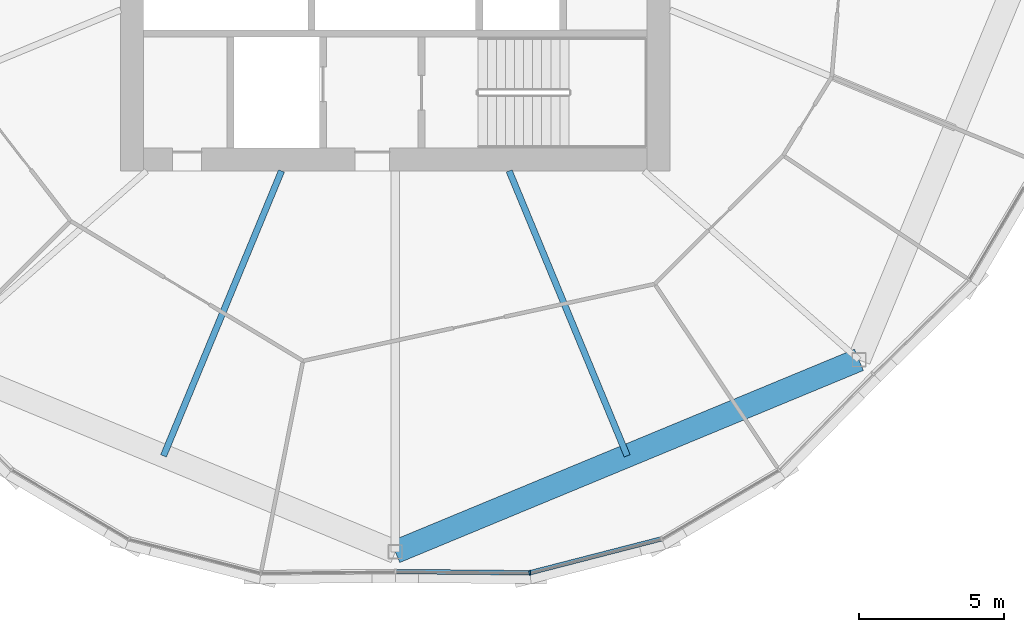
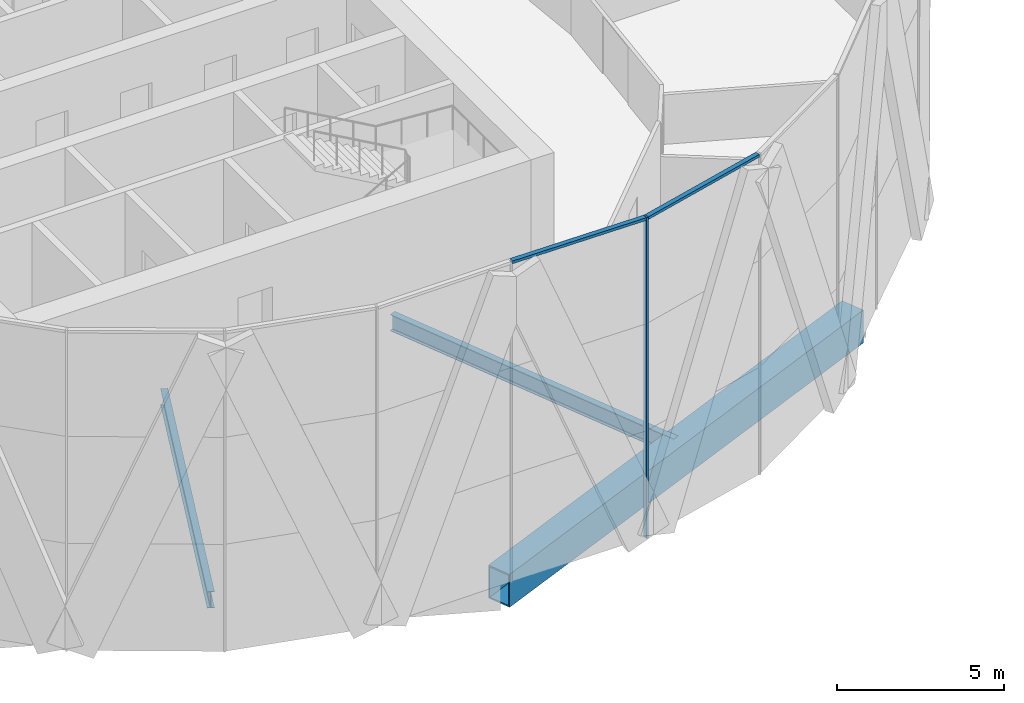
# One storey, part 4 of 26: 3 beams, 3 members, 1 element without a shape of its own.
"""IFC4 building model written with IfcOpenShell, lengths in metres."""

from ifc_helpers import new_model, si_unit, direction, frame, origin, origin_2d, place, context, subcontext, project, spatial, rectangle, hollow_rectangle, i_section, extrude, material, material_profile, profile_set, type_object, element, aggregate, save


model = new_model("IFC4")

# Units and contexts
model_context = context("Model", 3, precision=1e-05, world=origin(), true_north=direction((0.0, 1.0)))
body_context = subcontext(model_context, "Body", "Model", "MODEL_VIEW")
ifc_project = project(units=[si_unit("LENGTHUNIT", "METRE"), si_unit("AREAUNIT", "SQUARE_METRE"), si_unit("VOLUMEUNIT", "CUBIC_METRE"), si_unit("PLANEANGLEUNIT", "RADIAN"), si_unit("MASSUNIT", "GRAM", prefix="KILO")], contexts=[model_context])

# Site, building, storey
site_placement = place(None, origin())
site = spatial("IfcSite", under=ifc_project, at=site_placement, CompositionType="ELEMENT")
building_placement = place(site_placement, origin())
building = spatial("IfcBuilding", under=site, at=building_placement, Name="Ogive Gate Towers", CompositionType="ELEMENT")
storey_placement = place(building_placement, frame((0.0, 0.0, 87.89990234375)))
storey = spatial("IfcBuildingStorey", under=building, at=storey_placement, Name="L20", CompositionType="ELEMENT", Elevation=87.89990234375)

# Beams
ifc_material_1 = material(Name="Steel SM460", Category="steel")
ifc_material_profile_1 = material_profile(ifc_material_1, hollow_rectangle(XDim=0.800048828125, YDim=1.199951171875, WallThickness=0.050048828125, at=origin_2d()), Name="BX 1200x800x50")
ifc_profile_set_1 = profile_set([ifc_material_profile_1], Name="Steel SM460")
beam_type_1 = type_object("IfcBeamType", Name="Edge girder BX 1200x800x50", PredefinedType="BEAM", material=ifc_profile_set_1)
beam_placement = place(storey_placement, frame((-36.0, -22.669921875, -0.89990234375), z_axis=(0.923878777792, 0.382685254414, 0.0), x_axis=(-0.382685254414, 0.923878777792, 0.0)))
element("IfcBeam", 1, at=beam_placement, inside=storey, type_object=beam_type_1, Name="T1/L20/SBM018", PredefinedType="BEAM", context=body_context, shape_type="SweptSolid", body=[
    extrude(hollow_rectangle(XDim=0.800048828125, YDim=1.199951171875, WallThickness=0.050048828125, at=origin_2d()), origin(), (0.0, 0.0, 1.0), 17.350830078125),
])
ifc_material_2 = material(Name="Steel SM355", Category="steel")
ifc_material_profile_2 = material_profile(ifc_material_2, i_section(OverallWidth=0.219970703125, OverallDepth=0.60009765625, WebThickness=0.011962890625, FlangeThickness=0.01904296875, FilletRadius=0.02392578125, at=origin_2d()), Name="IPE 600")
ifc_profile_set_2 = profile_set([ifc_material_profile_2], Name="Steel SM355")
beam_type_2 = type_object("IfcBeamType", Name="Radial floor beam IPE 600", PredefinedType="BEAM", material=ifc_profile_set_2)
for number, where, z_axis, x_axis, name in (
    (2, (-39.93505859375, -9.5, -0.599853515625), (-0.382686161148, -0.923878402208, 0.0), (0.923878402208, -0.382686161148, 0.0), "T1/L20/SBM002"),
    (3, (-32.06494140625, -9.5, -0.599853515625), (0.382686161148, -0.923878402208, 0.0), (0.923878402208, 0.382686161148, 0.0), "T1/L20/SBM004"),
):
    element("IfcBeam", number, at=place(storey_placement, frame(where, z_axis=z_axis, x_axis=x_axis)), inside=storey, type_object=beam_type_2, Name=name, PredefinedType="BEAM", context=body_context, shape_type="SweptSolid", body=[
        extrude(i_section(OverallWidth=0.219970703125, OverallDepth=0.60009765625, WebThickness=0.011962890625, FlangeThickness=0.01904296875, FilletRadius=0.02392578125, at=origin_2d()), origin(), (0.0, 0.0, 1.0), 10.66162109375),
    ])

# Curtain wall, members
ifc_material_3 = material(Name="Pale metal aluminium", Category="aluminium")
curtain_wall_type = type_object("IfcCurtainWallType", Name="Tower unitised wall, low zone", PredefinedType="NOTDEFINED", material=ifc_material_3)
curtain_wall_placement = place(storey_placement, origin())
curtain_wall = element("IfcCurtainWall", 4, at=curtain_wall_placement, inside=storey, type_object=curtain_wall_type, Name="CW1 T1 ECW07", PredefinedType="NOTDEFINED")
ifc_material_profile_3 = material_profile(ifc_material_3, rectangle(XDim=0.159912109375, YDim=0.06005859375, at=origin_2d()), Name="60 x 160 aluminium box")
ifc_profile_set_3 = profile_set([ifc_material_profile_3], Name="Pale metal aluminium")
member_type_1 = type_object("IfcMemberType", Name="Tower unitised wall, low zone mullion 60 x 160", PredefinedType="MULLION", material=ifc_profile_set_3)
member_1_placement = place(storey_placement, frame((-31.352783203125, -23.3935546875, -0.2998046875), z_axis=(0.0, 0.0, 1.0), x_axis=(0.121037787217, -0.992647900348, 0.0)))
member_1 = element("IfcMember", 5, at=member_1_placement, type_object=member_type_1, Name="CW1 mullion", PredefinedType="MULLION", context=body_context, shape_type="SweptSolid", body=[
    extrude(rectangle(XDim=0.159912109375, YDim=0.06005859375, at=origin_2d()), origin(), (0.0, 0.0, 1.0), 11.699951171875),
])
ifc_material_profile_4 = material_profile(ifc_material_3, rectangle(XDim=0.159912109375, YDim=0.10009765625, at=origin_2d()), Name="100 x 160 aluminium box")
ifc_profile_set_4 = profile_set([ifc_material_profile_4], Name="Pale metal aluminium")
member_type_2 = type_object("IfcMemberType", Name="Tower unitised wall, low zone transom 100 x 160", PredefinedType="USERDEFINED", material=ifc_profile_set_4)
member_2_placement = place(storey_placement, frame((-35.9697265625, -23.350341796875, 11.35009765625), z_axis=(0.999956669412, -0.009309097625, 0.0), x_axis=(0.009309097625, 0.999956669412, 0.0)))
member_2 = element("IfcMember", 6, at=member_2_placement, type_object=member_type_2, Name="CW1 transom", ObjectType="TRANSOM", PredefinedType="USERDEFINED", context=body_context, shape_type="SweptSolid", body=[
    extrude(rectangle(XDim=0.159912109375, YDim=0.10009765625, at=origin_2d()), origin(), (0.0, 0.0, 1.0), 4.589599609375),
])
member_3_placement = place(storey_placement, frame((-31.326416015625, -23.38671875, 11.35009765625), z_axis=(0.968401345103, 0.249396942248, 0.0), x_axis=(-0.249396942248, 0.968401345103, 0.0)))
member_3 = element("IfcMember", 7, at=member_3_placement, type_object=member_type_2, Name="CW1 transom", ObjectType="TRANSOM", PredefinedType="USERDEFINED", context=body_context, shape_type="SweptSolid", body=[
    extrude(rectangle(XDim=0.159912109375, YDim=0.10009765625, at=origin_2d()), origin(), (0.0, 0.0, 1.0), 4.65087890625),
])
aggregate(curtain_wall, [member_1, member_2, member_3])

save(model, "model.ifc")
